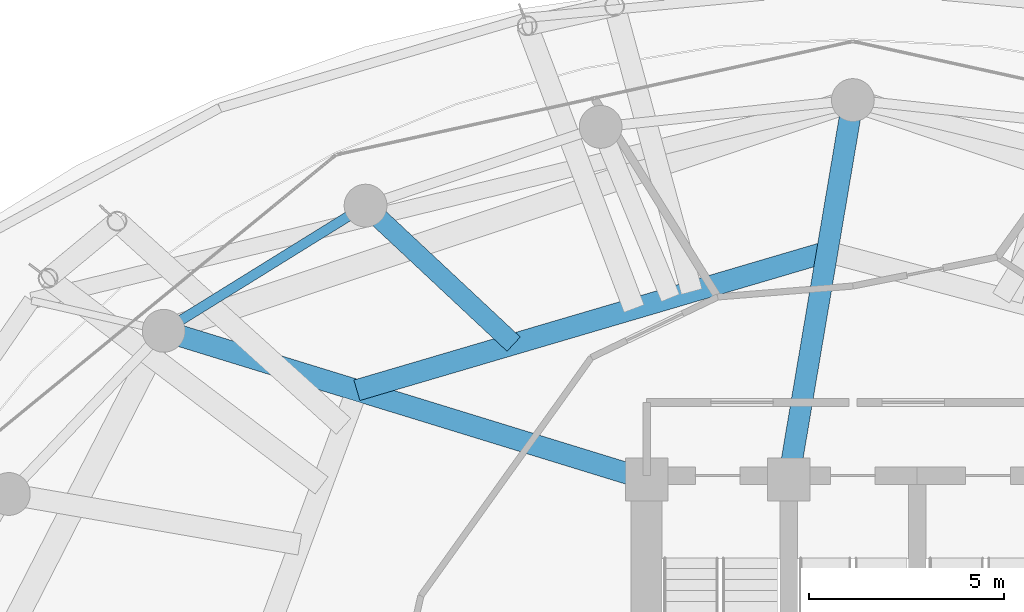
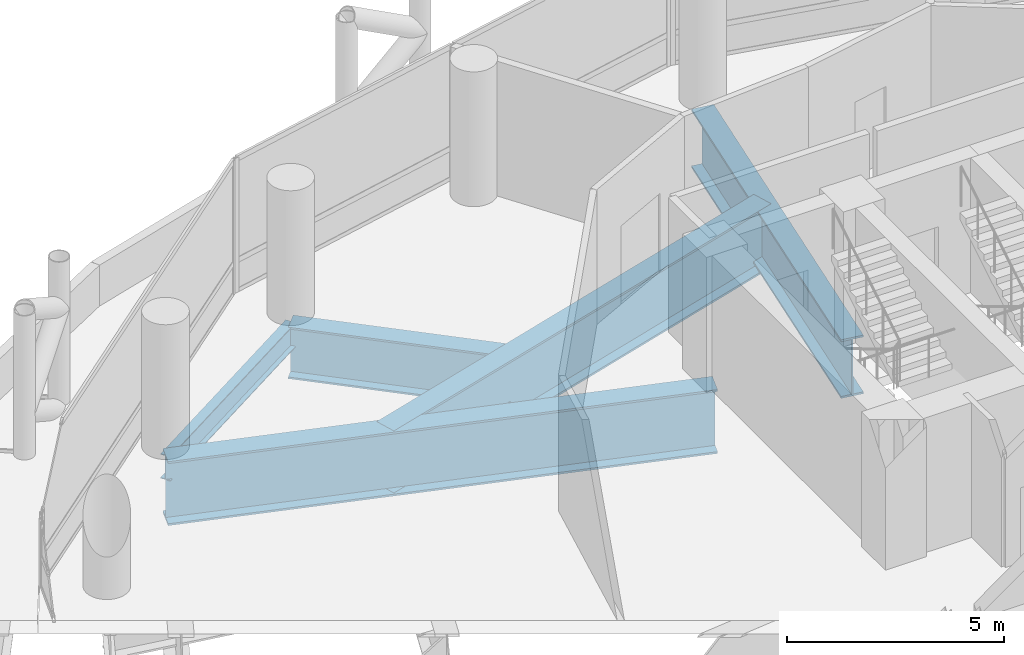
# One storey, part 19 of 37: 5 beams.
"""IFC4 building model written with IfcOpenShell, lengths in metres."""

import ifcopenshell
import ifcopenshell.guid

model = None  # the IFC model being written
_history = None  # IfcOwnerHistory: only IFC2X3 demands one
_inside = {}  # id of a spatial element -> (the spatial element, [elements in it])
_under = {}  # id of a project, library or spatial element -> (it, [spatial elements below it])
_declared = {}  # id of a project -> (the project, [libraries it declares])
_typed = {}  # id of a type object -> (the type object, [elements of that type])
_made_of = {}  # id of a material, layer set ... -> (it, [elements and type objects made of it])


def new_model(schema):
    """Start an empty IFC model of exactly this schema.

    Asked for "IFC4X3", IfcOpenShell would pick the latest addendum, in which some entities
    have other attributes; the version numbers below select the first issue.
    IFC2X3 requires an IfcOwnerHistory on every rooted entity: one is made here for all.
    """
    global model, _history
    if schema == "IFC4X3":
        model = ifcopenshell.file(schema_version=(4, 3, 0, 0))
    else:
        model = ifcopenshell.file(schema=schema)
    _inside.clear()
    _under.clear()
    _declared.clear()
    _typed.clear()
    _made_of.clear()
    _history = None
    if model.schema == "IFC2X3":
        org = make("IfcOrganization", Name="unknown")
        user = make(
            "IfcPersonAndOrganization",
            ThePerson=make("IfcPerson", FamilyName="unknown"),
            TheOrganization=org,
        )
        app = make(
            "IfcApplication",
            ApplicationDeveloper=org,
            Version="unknown",
            ApplicationFullName="unknown",
            ApplicationIdentifier="unknown",
        )
        _history = make(
            "IfcOwnerHistory",
            OwningUser=user,
            OwningApplication=app,
            ChangeAction="ADDED",
            CreationDate=0,
        )
    return model


def make(cls, **values):
    """One entity of the class cls with the attributes given. An attribute that is None is left unset."""
    return model.create_entity(
        cls, **{name: value for name, value in values.items() if value is not None}
    )


def rooted(cls, **values):
    """An entity with a GlobalId (a new one), such as an element, a storey or a relation."""
    return make(cls, GlobalId=ifcopenshell.guid.new(), OwnerHistory=_history, **values)


def si_unit(unit_type, name, prefix=None):
    """IfcSIUnit, for example si_unit("LENGTHUNIT", "METRE", prefix="MILLI")."""
    return make("IfcSIUnit", UnitType=unit_type, Prefix=prefix, Name=name)


def assignment(units):
    """IfcUnitAssignment: the units of a project."""
    return None if units is None else make("IfcUnitAssignment", Units=units)


def point(xyz):
    """IfcCartesianPoint."""
    return None if xyz is None else make("IfcCartesianPoint", Coordinates=xyz)


def direction(xyz):
    """IfcDirection."""
    return None if xyz is None else make("IfcDirection", DirectionRatios=xyz)


def frame(location, z_axis=None, x_axis=None):
    """IfcAxis2Placement3D, a coordinate frame: its origin and axes. An axis left out is left unset."""
    return make(
        "IfcAxis2Placement3D",
        Location=point(location),
        Axis=direction(z_axis),
        RefDirection=direction(x_axis),
    )


def frame_2d(location, x_axis=None):
    """IfcAxis2Placement2D, a coordinate frame in the plane: its origin and x axis."""
    return make(
        "IfcAxis2Placement2D", Location=point(location), RefDirection=direction(x_axis)
    )


def origin():
    """The frame at (0, 0, 0) with its axes left unset."""
    return frame((0.0, 0.0, 0.0))


def origin_2d():
    """The frame at (0, 0) in the plane with its x axis left unset."""
    return frame_2d((0.0, 0.0))


def place(relative_to, where):
    """IfcLocalPlacement: puts the frame where relative to a parent placement (None: the world)."""
    return make(
        "IfcLocalPlacement", PlacementRelTo=relative_to, RelativePlacement=where
    )


def context(
    kind, dimensions, precision=None, world=None, true_north=None, identifier=None
):
    """IfcGeometricRepresentationContext, for example the 3D "Model" context."""
    return make(
        "IfcGeometricRepresentationContext",
        ContextIdentifier=identifier,
        ContextType=kind,
        CoordinateSpaceDimension=dimensions,
        Precision=precision,
        WorldCoordinateSystem=world,
        TrueNorth=true_north,
    )


def subcontext(parent, identifier, kind, view, scale=None):
    """IfcGeometricRepresentationSubContext, for example "Body" below "Model"."""
    return make(
        "IfcGeometricRepresentationSubContext",
        ContextIdentifier=identifier,
        ContextType=kind,
        ParentContext=parent,
        TargetScale=scale,
        TargetView=view,
    )


def project(units=None, contexts=None):
    """IfcProject with its units and contexts."""
    return rooted(
        "IfcProject",
        Name="project",
        RepresentationContexts=contexts,
        UnitsInContext=assignment(units),
    )


def spatial(cls, under=None, at=None, **own):
    """A site, building, storey or space (cls), placed at a placement, below another one or the project."""
    s = rooted(cls, ObjectPlacement=at, **own)
    if under is not None:
        _under.setdefault(under.id(), (under, []))[1].append(s)
    return s


def profile(cls, at=None, kind="AREA", **sizes):
    """A parametric profile (cls). Its sizes go by their IFC names, for example OverallWidth=200.0."""
    return make(cls, ProfileType=kind, Position=at, **sizes)


def i_section(**sizes):
    """IfcIShapeProfileDef."""
    return profile("IfcIShapeProfileDef", **sizes)


def extrude(swept, where, along, depth):
    """IfcExtrudedAreaSolid: the profile swept, set in the frame where, extruded along a direction by depth."""
    return make(
        "IfcExtrudedAreaSolid",
        SweptArea=swept,
        Position=where,
        ExtrudedDirection=direction(along),
        Depth=depth,
    )


def shape(context_of_items, identifier, shape_type, items):
    """IfcShapeRepresentation: the items that make up one representation, for example the "Body"."""
    return make(
        "IfcShapeRepresentation",
        ContextOfItems=context_of_items,
        RepresentationIdentifier=identifier,
        RepresentationType=shape_type,
        Items=items,
    )


def material(Name=None, Category=None):
    """IfcMaterial."""
    return make("IfcMaterial", Name=Name, Category=Category)


def material_profile(
    of_material, cross_section, Name=None, Category=None, Priority=None
):
    """IfcMaterialProfile: a cross section and its material."""
    return make(
        "IfcMaterialProfile",
        Name=Name,
        Material=of_material,
        Profile=cross_section,
        Priority=Priority,
        Category=Category,
    )


def profile_set(profiles, Name=None, composite=None):
    """IfcMaterialProfileSet."""
    return make(
        "IfcMaterialProfileSet",
        Name=Name,
        MaterialProfiles=profiles,
        CompositeProfile=composite,
    )


def made_of(thing, what):
    """Note that an element or type object is made of a material, layer set ...; save() writes the relation."""
    if what is not None:
        _made_of.setdefault(what.id(), (what, []))[1].append(thing)
    return thing


def type_object(cls, material=None, **own):
    """A type object (cls), such as IfcWallType, which elements share."""
    return made_of(rooted(cls, **own), material)


def element(
    cls,
    number,
    at=None,
    inside=None,
    cuts=None,
    type_object=None,
    material=None,
    context=None,
    identifier="Body",
    shape_type=None,
    held_by="IfcProductDefinitionShape",
    body=None,
    shapes=None,
    **own,
):
    """One element of the class cls, such as IfcWall. Its Tag is "e" and its number.

    at: its placement. inside: the storey or other place that contains it. cuts: it is an
    opening in that element (IfcRelVoidsElement). A single representation is given by context,
    identifier, shape_type and body (its items); several are given by shapes. held_by: the class
    of the entity that holds the representations. save() writes the other relations.
    """
    e = rooted(cls, Tag="e%d" % number, ObjectPlacement=at, **own)
    if body is not None:
        shapes = [shape(context, identifier, shape_type, body)]
    if shapes is not None:
        e.Representation = make(held_by, Representations=shapes)
    if inside is not None:
        _inside.setdefault(inside.id(), (inside, []))[1].append(e)
    if cuts is not None:
        rooted(
            "IfcRelVoidsElement", RelatingBuildingElement=cuts, RelatedOpeningElement=e
        )
    if type_object is not None:
        _typed.setdefault(type_object.id(), (type_object, []))[1].append(e)
    return made_of(e, material)


def aggregate(whole, parts):
    """IfcRelAggregates: a whole, such as a stair, and the parts it consists of."""
    return rooted("IfcRelAggregates", RelatingObject=whole, RelatedObjects=parts)


def save(model, path):
    """Write the relations noted so far, then the file.

    IfcRelAggregates (storeys below a building ...), IfcRelContainedInSpatialStructure (elements
    in a storey), IfcRelDefinesByType, IfcRelAssociatesMaterial and IfcRelDeclares: one each for
    every whole, place, type object, material and project.
    """
    for whole, parts in _under.values():
        aggregate(whole, parts)
    for where, things in _inside.values():
        rooted(
            "IfcRelContainedInSpatialStructure",
            RelatedElements=things,
            RelatingStructure=where,
        )
    for kind, things in _typed.values():
        rooted("IfcRelDefinesByType", RelatedObjects=things, RelatingType=kind)
    for what, things in _made_of.values():
        rooted("IfcRelAssociatesMaterial", RelatedObjects=things, RelatingMaterial=what)
    for by, libraries in _declared.values():
        rooted("IfcRelDeclares", RelatingContext=by, RelatedDefinitions=libraries)
    model.write(path)


model = new_model("IFC4")

# Units and contexts
model_context = context("Model", 3, precision=1e-05, world=origin(), true_north=direction((0.0, 1.0)))
body_context = subcontext(model_context, "Body", "Model", "MODEL_VIEW")
ifc_project = project(units=[si_unit("LENGTHUNIT", "METRE"), si_unit("AREAUNIT", "SQUARE_METRE"), si_unit("VOLUMEUNIT", "CUBIC_METRE"), si_unit("PLANEANGLEUNIT", "RADIAN"), si_unit("MASSUNIT", "GRAM", prefix="KILO")], contexts=[model_context])

# Site, building, storey
site_placement = place(None, origin())
site = spatial("IfcSite", under=ifc_project, at=site_placement, CompositionType="ELEMENT")
building_placement = place(site_placement, origin())
building = spatial("IfcBuilding", under=site, at=building_placement, Name="Nuhasar Tower", CompositionType="ELEMENT")
storey_placement = place(building_placement, frame((0.0, 0.0, 21.0)))
storey = spatial("IfcBuildingStorey", under=building, at=storey_placement, Name="L04", CompositionType="ELEMENT", Elevation=21.0)

# Beams
ifc_material_1 = material(Name="Steel S355", Category="steel")
ifc_material_profile_1 = material_profile(ifc_material_1, i_section(OverallWidth=0.256103515625, OverallDepth=0.693115234375, WebThickness=0.014404296875, FlangeThickness=0.023681640625, at=origin_2d()), Name="W27X114")
ifc_profile_set_1 = profile_set([ifc_material_profile_1], Name="Steel S355")
beam_type_1 = type_object("IfcBeamType", Name="BM-RING-W27X114", PredefinedType="SPANDREL", material=ifc_profile_set_1)
beam_1_placement = place(storey_placement, frame((26.47509765625, 44.3369140625, -0.60693359375), z_axis=(-0.849795216549, -0.527112976439, 0.0), x_axis=(0.527112976439, -0.849795216549, 0.0)))
element("IfcBeam", 1, at=beam_1_placement, inside=storey, type_object=beam_type_1, Name="L04 Perimeter Ring Spandrel 09", PredefinedType="SPANDREL", context=body_context, shape_type="SweptSolid", body=[
    extrude(i_section(OverallWidth=0.256103515625, OverallDepth=0.693115234375, WebThickness=0.014404296875, FlangeThickness=0.023681640625, at=origin_2d()), origin(), (0.0, 0.0, 1.0), 6.10498046875),
])
ifc_material_2 = material(Name="Steel S460", Category="steel")
ifc_material_profile_2 = material_profile(ifc_material_2, i_section(OverallWidth=0.5, OverallDepth=1.449951171875, WebThickness=0.028076171875, FlangeThickness=0.050048828125, at=origin_2d()), Name="PG1450X500")
ifc_profile_set_2 = profile_set([ifc_material_profile_2], Name="Steel S460")
beam_type_2 = type_object("IfcBeamType", Name="BM-XFER-PG1450", PredefinedType="USERDEFINED", material=ifc_profile_set_2)
beam_2_placement = place(storey_placement, frame((30.281005859375, 40.777099609375, -0.985107421875), z_axis=(-0.730324187608, 0.683100710726, 0.0), x_axis=(-0.683100710726, -0.730324187608, 0.0)))
element("IfcBeam", 2, at=beam_2_placement, inside=storey, type_object=beam_type_2, Name="L04 Inner Column Transfer Girder 09", ObjectType="GIRDER", PredefinedType="USERDEFINED", context=body_context, shape_type="SweptSolid", body=[
    extrude(i_section(OverallWidth=0.5, OverallDepth=1.449951171875, WebThickness=0.028076171875, FlangeThickness=0.050048828125, at=origin_2d()), origin(), (0.0, 0.0, 1.0), 5.211181640625),
])
ifc_material_profile_3 = material_profile(ifc_material_2, i_section(OverallWidth=0.550048828125, OverallDepth=1.64990234375, WebThickness=0.031982421875, FlangeThickness=0.054931640625, at=origin_2d()), Name="PG1650X550")
ifc_profile_set_3 = profile_set([ifc_material_profile_3], Name="Steel S460")
beam_type_3 = type_object("IfcBeamType", Name="BM-XFER-PG1650", PredefinedType="USERDEFINED", material=ifc_profile_set_3)
beam_3_placement = place(storey_placement, frame((37.35009765625, 37.300048828125, -1.0849609375), z_axis=(0.166848703013, 0.98598251014, 0.0), x_axis=(-0.98598251014, 0.166848703013, 0.0)))
element("IfcBeam", 3, at=beam_3_placement, inside=storey, type_object=beam_type_3, Name="L04 Radial Floor Girder 06", ObjectType="GIRDER", PredefinedType="USERDEFINED", context=body_context, shape_type="SweptSolid", body=[
    extrude(i_section(OverallWidth=0.550048828125, OverallDepth=1.64990234375, WebThickness=0.031982421875, FlangeThickness=0.054931640625, at=origin_2d()), origin(), (0.0, 0.0, 1.0), 9.888671875),
])
ifc_material_profile_4 = material_profile(ifc_material_2, i_section(OverallWidth=0.550048828125, OverallDepth=1.800048828125, WebThickness=0.031982421875, FlangeThickness=0.054931640625, at=origin_2d()), Name="PG1800X550")
ifc_profile_set_4 = profile_set([ifc_material_profile_4], Name="Steel S460")
beam_type_4 = type_object("IfcBeamType", Name="BM-XFER-PG1800", PredefinedType="USERDEFINED", material=ifc_profile_set_4)
beam_4_placement = place(storey_placement, frame((33.699951171875, 37.300048828125, -1.159912109375), z_axis=(-0.955789576103, 0.294051502653, 0.0), x_axis=(-0.294051502653, -0.955789576103, 0.0)))
element("IfcBeam", 4, at=beam_4_placement, inside=storey, type_object=beam_type_4, Name="L04 Radial Floor Girder 07", ObjectType="GIRDER", PredefinedType="USERDEFINED", context=body_context, shape_type="SweptSolid", body=[
    extrude(i_section(OverallWidth=0.550048828125, OverallDepth=1.800048828125, WebThickness=0.031982421875, FlangeThickness=0.054931640625, at=origin_2d()), origin(), (0.0, 0.0, 1.0), 12.987060546875),
])
beam_5_placement = place(storey_placement, frame((38.340087890625, 43.14990234375, -1.159912109375), z_axis=(-0.959290190666, -0.28242225495, 0.0), x_axis=(0.28242225495, -0.959290190666, 0.0)))
element("IfcBeam", 5, at=beam_5_placement, inside=storey, type_object=beam_type_4, Name="L04 Inner Header Beam 06", ObjectType="GIRDER", PredefinedType="USERDEFINED", context=body_context, shape_type="SweptSolid", body=[
    extrude(i_section(OverallWidth=0.550048828125, OverallDepth=1.800048828125, WebThickness=0.031982421875, FlangeThickness=0.054931640625, at=origin_2d()), origin(), (0.0, 0.0, 1.0), 12.60107421875),
])

save(model, "model.ifc")
